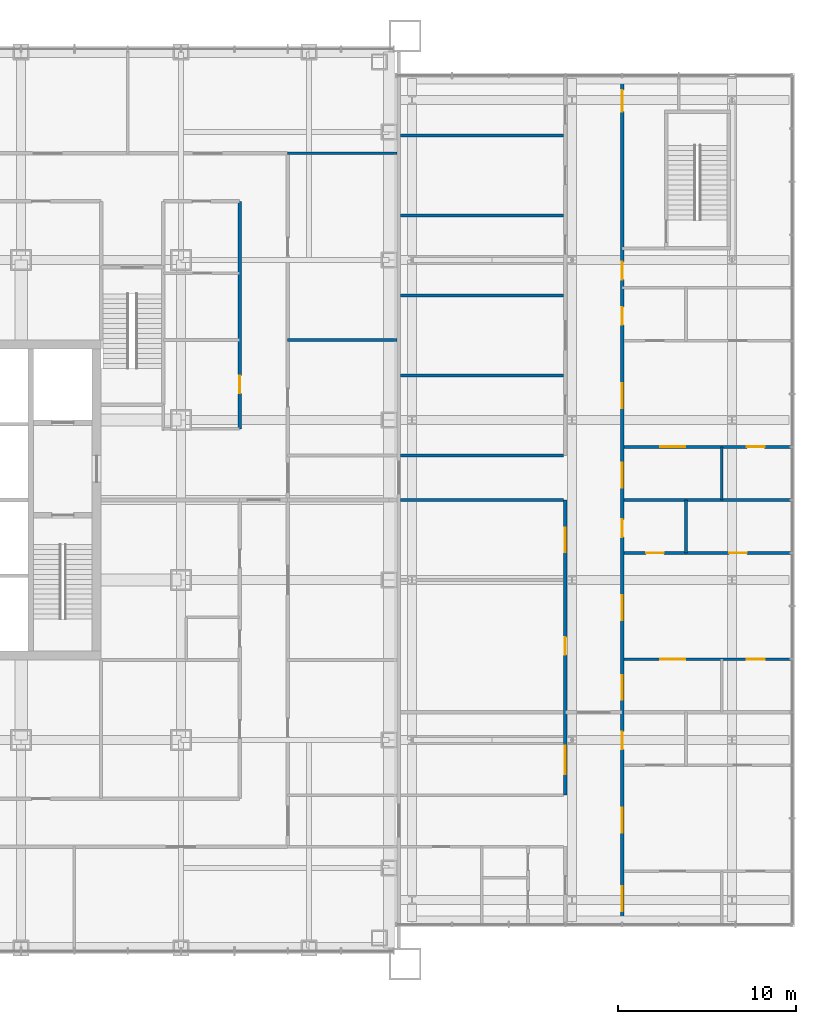
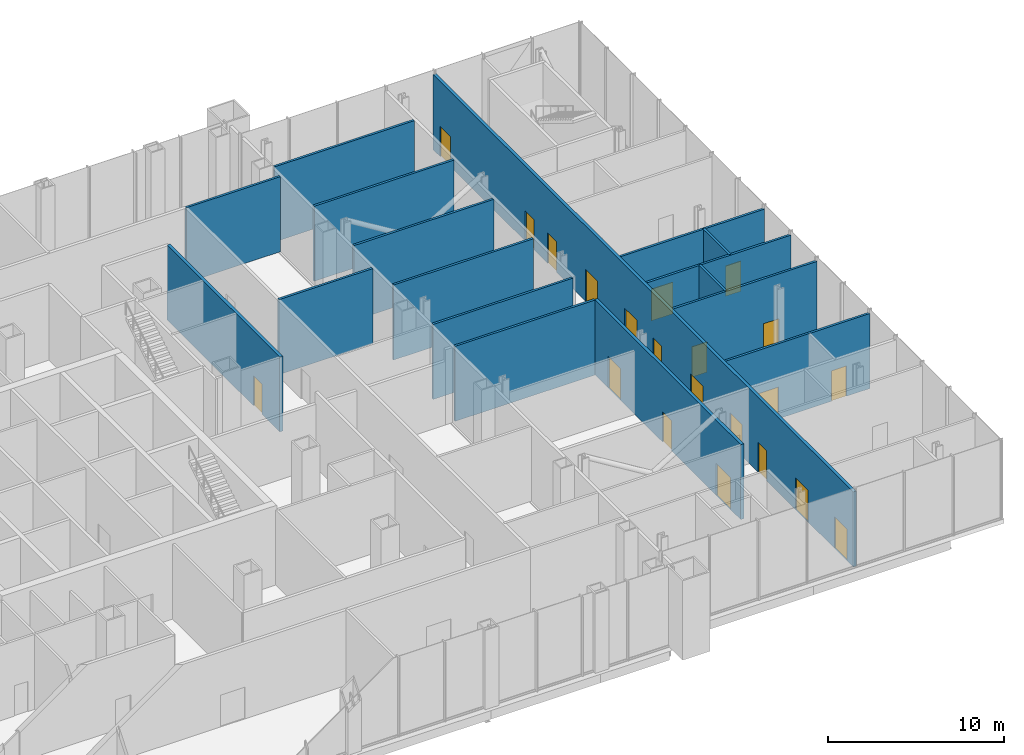
# One storey, part 18 of 25: 21 doors, 17 walls, 21 openings.
"""IFC4 building model written with IfcOpenShell, lengths in metres."""

from ifc_helpers import new_model, si_unit, direction, frame, frame_2d, origin, place, context, subcontext, project, spatial, rectangle, extrude, material, layer, layer_set, type_object, element, fill, save


model = new_model("IFC4")

# Units and contexts
model_context = context("Model", 3, precision=1e-05, world=origin(), true_north=direction((0.0, 1.0)))
body_context = subcontext(model_context, "Body", "Model", "MODEL_VIEW")
ifc_project = project(units=[si_unit("LENGTHUNIT", "METRE"), si_unit("AREAUNIT", "SQUARE_METRE"), si_unit("VOLUMEUNIT", "CUBIC_METRE"), si_unit("PLANEANGLEUNIT", "RADIAN"), si_unit("MASSUNIT", "GRAM", prefix="KILO")], contexts=[model_context])

# Site, building, storey
site_placement = place(None, origin())
site = spatial("IfcSite", under=ifc_project, at=site_placement, CompositionType="ELEMENT")
building_placement = place(site_placement, origin())
building = spatial("IfcBuilding", under=site, at=building_placement, Name="Malebo Sky Hospital", CompositionType="ELEMENT")
storey_placement = place(building_placement, frame((0.0, 0.0, 11.0)))
storey = spatial("IfcBuildingStorey", under=building, at=storey_placement, Name="L02", CompositionType="ELEMENT", Elevation=11.0)

# Wall, opening, door
ifc_material_1 = material(Name="Gypsum board on steel studs", Category="steel")
ifc_layer_1 = layer(ifc_material_1, 0.199951171875)
ifc_layer_set_1 = layer_set([ifc_layer_1], Name="CORRIDOR WALL 200")
wall_type_1 = type_object("IfcWallType", Name="CORRIDOR WALL 200", PredefinedType="PARTITIONING", material=ifc_layer_set_1)
wall_1_placement = place(storey_placement, frame((76.800048828125, 78.800048828125, 0.0), z_axis=(0.0, 0.0, 1.0), x_axis=(0.0, -1.0, 0.0)))
wall_1 = element("IfcWall", 1, at=wall_1_placement, inside=storey, type_object=wall_type_1, Name="Corridor Wall 200 ECI1", PredefinedType="PARTITIONING", context=body_context, shape_type="SweptSolid", body=[
    extrude(rectangle(XDim=12.800048828125, YDim=0.199951171875, at=frame_2d((6.39990234375, 0.0))), origin(), (0.0, 0.0, 1.0), 5.199951171875),
])
opening_1_placement = place(wall_1_placement, frame((9.800048828125, 0.0, 0.0)))
opening_1 = element("IfcOpeningElement", 2, at=opening_1_placement, cuts=wall_1, Name="Opening D03", PredefinedType="OPENING", context=body_context, shape_type="SweptSolid", body=[
    extrude(rectangle(XDim=1.0, YDim=2.10009765625, at=frame_2d((0.5, 1.050048828125))), frame((0.0, 0.10986328125, 0.0), z_axis=(0.0, -1.0, 0.0), x_axis=(1.0, 0.0, 0.0)), (0.0, 0.0, 1.0), 0.219970703125),
])
ifc_material_2 = material(Name="Hardwood-faced door leaf in steel frame", Category="steel")
door_type_1 = type_object("IfcDoorType", Name="ROOM DOOR 1000", OperationType="SINGLE_SWING_LEFT", PredefinedType="DOOR", material=ifc_material_2)
door_1_placement = place(opening_1_placement, origin())
door_1 = element("IfcDoor", 3, at=door_1_placement, inside=storey, type_object=door_type_1, Name="Equipment store door", OperationType="SINGLE_SWING_LEFT", OverallHeight=2.10009765625, OverallWidth=1.0, PredefinedType="DOOR", context=body_context, shape_type="SweptSolid", body=[
    extrude(rectangle(XDim=1.0, YDim=2.10009765625, at=frame_2d((0.5, 1.050048828125))), frame((0.0, 0.02490234375, 0.0), z_axis=(0.0, -1.0, 0.0), x_axis=(1.0, 0.0, 0.0)), (0.0, 0.0, 1.0), 0.050048828125),
])
fill(opening_1, door_1)

# Wall, openings, doors
wall_2_placement = place(storey_placement, frame((98.306884765625, 38.14990234375, 0.0), z_axis=(0.0, 0.0, 1.0), x_axis=(0.0, 1.0, 0.0)))
wall_2 = element("IfcWall", 4, at=wall_2_placement, inside=storey, type_object=wall_type_1, Name="Corridor Wall 200 EWC1", PredefinedType="PARTITIONING", context=body_context, shape_type="SweptSolid", body=[
    extrude(rectangle(XDim=47.7001953125, YDim=0.199951171875, at=frame_2d((23.85009765625, 0.0))), origin(), (0.0, 0.0, 1.0), 5.199951171875),
])
opening_2_placement = place(wall_2_placement, frame((45.699951171875, 0.0, 0.0)))
opening_2 = element("IfcOpeningElement", 5, at=opening_2_placement, cuts=wall_2, Name="Opening D08", PredefinedType="OPENING", context=body_context, shape_type="SweptSolid", body=[
    extrude(rectangle(XDim=1.199951171875, YDim=2.10009765625, at=frame_2d((0.60009765625, 1.050048828125))), frame((0.0, 0.10986328125, 0.0), z_axis=(0.0, -1.0, 0.0), x_axis=(1.0, 0.0, 0.0)), (0.0, 0.0, 1.0), 0.219970703125),
])
opening_3_placement = place(wall_2_placement, frame((36.24365234375, 0.0, 0.0)))
opening_3 = element("IfcOpeningElement", 6, at=opening_3_placement, cuts=wall_2, Name="Opening D03", PredefinedType="OPENING", context=body_context, shape_type="SweptSolid", body=[
    extrude(rectangle(XDim=1.0, YDim=2.10009765625, at=frame_2d((0.5, 1.050048828125))), frame((0.0, 0.10986328125, 0.0), z_axis=(0.0, -1.0, 0.0), x_axis=(1.0, 0.0, 0.0)), (0.0, 0.0, 1.0), 0.219970703125),
])
opening_4_placement = place(wall_2_placement, frame((0.729736328125, 0.0, 0.0)))
opening_4 = element("IfcOpeningElement", 7, at=opening_4_placement, cuts=wall_2, Name="Opening D25", PredefinedType="OPENING", context=body_context, shape_type="SweptSolid", body=[
    extrude(rectangle(XDim=1.39990234375, YDim=2.199951171875, at=frame_2d((0.699951171875, 1.10009765625))), frame((0.0, 0.10986328125, 0.0), z_axis=(0.0, -1.0, 0.0), x_axis=(1.0, 0.0, 0.0)), (0.0, 0.0, 1.0), 0.219970703125),
])
opening_5_placement = place(wall_2_placement, frame((5.143798828125, 0.0, 0.0)))
opening_5 = element("IfcOpeningElement", 8, at=opening_5_placement, cuts=wall_2, Name="Opening D25", PredefinedType="OPENING", context=body_context, shape_type="SweptSolid", body=[
    extrude(rectangle(XDim=1.39990234375, YDim=2.199951171875, at=frame_2d((0.699951171875, 1.10009765625))), frame((0.0, 0.10986328125, 0.0), z_axis=(0.0, -1.0, 0.0), x_axis=(1.0, 0.0, 0.0)), (0.0, 0.0, 1.0), 0.219970703125),
])
opening_6_placement = place(wall_2_placement, frame((9.8203125, 0.0, 0.0)))
opening_6 = element("IfcOpeningElement", 9, at=opening_6_placement, cuts=wall_2, Name="Opening D03", PredefinedType="OPENING", context=body_context, shape_type="SweptSolid", body=[
    extrude(rectangle(XDim=1.0, YDim=2.10009765625, at=frame_2d((0.5, 1.050048828125))), frame((0.0, 0.10986328125, 0.0), z_axis=(0.0, -1.0, 0.0), x_axis=(1.0, 0.0, 0.0)), (0.0, 0.0, 1.0), 0.219970703125),
])
opening_7_placement = place(wall_2_placement, frame((12.604736328125, 0.0, 0.0)))
opening_7 = element("IfcOpeningElement", 10, at=opening_7_placement, cuts=wall_2, Name="Opening D25", PredefinedType="OPENING", context=body_context, shape_type="SweptSolid", body=[
    extrude(rectangle(XDim=1.39990234375, YDim=2.199951171875, at=frame_2d((0.699951171875, 1.10009765625))), frame((0.0, 0.10986328125, 0.0), z_axis=(0.0, -1.0, 0.0), x_axis=(1.0, 0.0, 0.0)), (0.0, 0.0, 1.0), 0.219970703125),
])
opening_8_placement = place(wall_2_placement, frame((17.081298828125, 0.0, 0.0)))
opening_8 = element("IfcOpeningElement", 11, at=opening_8_placement, cuts=wall_2, Name="Opening D25", PredefinedType="OPENING", context=body_context, shape_type="SweptSolid", body=[
    extrude(rectangle(XDim=1.39990234375, YDim=2.199951171875, at=frame_2d((0.699951171875, 1.10009765625))), frame((0.0, 0.10986328125, 0.0), z_axis=(0.0, -1.0, 0.0), x_axis=(1.0, 0.0, 0.0)), (0.0, 0.0, 1.0), 0.219970703125),
])
opening_9_placement = place(wall_2_placement, frame((21.7578125, 0.0, 0.0)))
opening_9 = element("IfcOpeningElement", 12, at=opening_9_placement, cuts=wall_2, Name="Opening D03", PredefinedType="OPENING", context=body_context, shape_type="SweptSolid", body=[
    extrude(rectangle(XDim=1.0, YDim=2.10009765625, at=frame_2d((0.5, 1.050048828125))), frame((0.0, 0.10986328125, 0.0), z_axis=(0.0, -1.0, 0.0), x_axis=(1.0, 0.0, 0.0)), (0.0, 0.0, 1.0), 0.219970703125),
])
opening_10_placement = place(wall_2_placement, frame((24.542236328125, 0.0, 0.0)))
opening_10 = element("IfcOpeningElement", 13, at=opening_10_placement, cuts=wall_2, Name="Opening D25", PredefinedType="OPENING", context=body_context, shape_type="SweptSolid", body=[
    extrude(rectangle(XDim=1.39990234375, YDim=2.199951171875, at=frame_2d((0.699951171875, 1.10009765625))), frame((0.0, 0.10986328125, 0.0), z_axis=(0.0, -1.0, 0.0), x_axis=(1.0, 0.0, 0.0)), (0.0, 0.0, 1.0), 0.219970703125),
])
opening_11_placement = place(wall_2_placement, frame((29.018798828125, 0.0, 0.0)))
opening_11 = element("IfcOpeningElement", 14, at=opening_11_placement, cuts=wall_2, Name="Opening D25", PredefinedType="OPENING", context=body_context, shape_type="SweptSolid", body=[
    extrude(rectangle(XDim=1.39990234375, YDim=2.199951171875, at=frame_2d((0.699951171875, 1.10009765625))), frame((0.0, 0.10986328125, 0.0), z_axis=(0.0, -1.0, 0.0), x_axis=(1.0, 0.0, 0.0)), (0.0, 0.0, 1.0), 0.219970703125),
])
opening_12_placement = place(wall_2_placement, frame((33.6953125, 0.0, 0.0)))
opening_12 = element("IfcOpeningElement", 15, at=opening_12_placement, cuts=wall_2, Name="Opening D03", PredefinedType="OPENING", context=body_context, shape_type="SweptSolid", body=[
    extrude(rectangle(XDim=1.0, YDim=2.10009765625, at=frame_2d((0.5, 1.050048828125))), frame((0.0, 0.10986328125, 0.0), z_axis=(0.0, -1.0, 0.0), x_axis=(1.0, 0.0, 0.0)), (0.0, 0.0, 1.0), 0.219970703125),
])
door_type_2 = type_object("IfcDoorType", Name="BED DOOR PAIR 1400", OperationType="DOUBLE_DOOR_SINGLE_SWING", PredefinedType="DOOR", material=ifc_material_2)
door_2_placement = place(opening_4_placement, origin())
door_2 = element("IfcDoor", 16, at=door_2_placement, inside=storey, type_object=door_type_2, Name="Anaesthetic room door", OperationType="DOUBLE_DOOR_SINGLE_SWING", OverallHeight=2.199951171875, OverallWidth=1.39990234375, PredefinedType="DOOR", context=body_context, shape_type="SweptSolid", body=[
    extrude(rectangle(XDim=1.39990234375, YDim=2.199951171875, at=frame_2d((0.699951171875, 1.10009765625))), frame((0.0, 0.02490234375, 0.0), z_axis=(0.0, -1.0, 0.0), x_axis=(1.0, 0.0, 0.0)), (0.0, 0.0, 1.0), 0.050048828125),
])
fill(opening_4, door_2)
door_3_placement = place(opening_5_placement, origin())
door_3 = element("IfcDoor", 17, at=door_3_placement, inside=storey, type_object=door_type_2, Name="Operating theatre door", OperationType="DOUBLE_DOOR_SINGLE_SWING", OverallHeight=2.199951171875, OverallWidth=1.39990234375, PredefinedType="DOOR", context=body_context, shape_type="SweptSolid", body=[
    extrude(rectangle(XDim=1.39990234375, YDim=2.199951171875, at=frame_2d((0.699951171875, 1.10009765625))), frame((0.0, 0.02490234375, 0.0), z_axis=(0.0, -1.0, 0.0), x_axis=(1.0, 0.0, 0.0)), (0.0, 0.0, 1.0), 0.050048828125),
])
fill(opening_5, door_3)
door_4_placement = place(opening_7_placement, origin())
door_4 = element("IfcDoor", 18, at=door_4_placement, inside=storey, type_object=door_type_2, Name="Anaesthetic room door", OperationType="DOUBLE_DOOR_SINGLE_SWING", OverallHeight=2.199951171875, OverallWidth=1.39990234375, PredefinedType="DOOR", context=body_context, shape_type="SweptSolid", body=[
    extrude(rectangle(XDim=1.39990234375, YDim=2.199951171875, at=frame_2d((0.699951171875, 1.10009765625))), frame((0.0, 0.02490234375, 0.0), z_axis=(0.0, -1.0, 0.0), x_axis=(1.0, 0.0, 0.0)), (0.0, 0.0, 1.0), 0.050048828125),
])
fill(opening_7, door_4)
door_5_placement = place(opening_8_placement, origin())
door_5 = element("IfcDoor", 19, at=door_5_placement, inside=storey, type_object=door_type_2, Name="Operating theatre door", OperationType="DOUBLE_DOOR_SINGLE_SWING", OverallHeight=2.199951171875, OverallWidth=1.39990234375, PredefinedType="DOOR", context=body_context, shape_type="SweptSolid", body=[
    extrude(rectangle(XDim=1.39990234375, YDim=2.199951171875, at=frame_2d((0.699951171875, 1.10009765625))), frame((0.0, 0.02490234375, 0.0), z_axis=(0.0, -1.0, 0.0), x_axis=(1.0, 0.0, 0.0)), (0.0, 0.0, 1.0), 0.050048828125),
])
fill(opening_8, door_5)
door_6_placement = place(opening_10_placement, origin())
door_6 = element("IfcDoor", 20, at=door_6_placement, inside=storey, type_object=door_type_2, Name="Anaesthetic room door", OperationType="DOUBLE_DOOR_SINGLE_SWING", OverallHeight=2.199951171875, OverallWidth=1.39990234375, PredefinedType="DOOR", context=body_context, shape_type="SweptSolid", body=[
    extrude(rectangle(XDim=1.39990234375, YDim=2.199951171875, at=frame_2d((0.699951171875, 1.10009765625))), frame((0.0, 0.02490234375, 0.0), z_axis=(0.0, -1.0, 0.0), x_axis=(1.0, 0.0, 0.0)), (0.0, 0.0, 1.0), 0.050048828125),
])
fill(opening_10, door_6)
door_7_placement = place(opening_11_placement, origin())
door_7 = element("IfcDoor", 21, at=door_7_placement, inside=storey, type_object=door_type_2, Name="Operating theatre door", OperationType="DOUBLE_DOOR_SINGLE_SWING", OverallHeight=2.199951171875, OverallWidth=1.39990234375, PredefinedType="DOOR", context=body_context, shape_type="SweptSolid", body=[
    extrude(rectangle(XDim=1.39990234375, YDim=2.199951171875, at=frame_2d((0.699951171875, 1.10009765625))), frame((0.0, 0.02490234375, 0.0), z_axis=(0.0, -1.0, 0.0), x_axis=(1.0, 0.0, 0.0)), (0.0, 0.0, 1.0), 0.050048828125),
])
fill(opening_11, door_7)
door_8_placement = place(opening_3_placement, origin())
door_8 = element("IfcDoor", 22, at=door_8_placement, inside=storey, type_object=door_type_1, Name="Theatre consumables store door", OperationType="SINGLE_SWING_LEFT", OverallHeight=2.10009765625, OverallWidth=1.0, PredefinedType="DOOR", context=body_context, shape_type="SweptSolid", body=[
    extrude(rectangle(XDim=1.0, YDim=2.10009765625, at=frame_2d((0.5, 1.050048828125))), frame((0.0, 0.02490234375, 0.0), z_axis=(0.0, -1.0, 0.0), x_axis=(1.0, 0.0, 0.0)), (0.0, 0.0, 1.0), 0.050048828125),
])
fill(opening_3, door_8)
door_9_placement = place(opening_6_placement, origin())
door_9 = element("IfcDoor", 23, at=door_9_placement, inside=storey, type_object=door_type_1, Name="Scrub room door", OperationType="SINGLE_SWING_LEFT", OverallHeight=2.10009765625, OverallWidth=1.0, PredefinedType="DOOR", context=body_context, shape_type="SweptSolid", body=[
    extrude(rectangle(XDim=1.0, YDim=2.10009765625, at=frame_2d((0.5, 1.050048828125))), frame((0.0, 0.02490234375, 0.0), z_axis=(0.0, -1.0, 0.0), x_axis=(1.0, 0.0, 0.0)), (0.0, 0.0, 1.0), 0.050048828125),
])
fill(opening_6, door_9)
door_10_placement = place(opening_9_placement, origin())
door_10 = element("IfcDoor", 24, at=door_10_placement, inside=storey, type_object=door_type_1, Name="Scrub room door", OperationType="SINGLE_SWING_LEFT", OverallHeight=2.10009765625, OverallWidth=1.0, PredefinedType="DOOR", context=body_context, shape_type="SweptSolid", body=[
    extrude(rectangle(XDim=1.0, YDim=2.10009765625, at=frame_2d((0.5, 1.050048828125))), frame((0.0, 0.02490234375, 0.0), z_axis=(0.0, -1.0, 0.0), x_axis=(1.0, 0.0, 0.0)), (0.0, 0.0, 1.0), 0.050048828125),
])
fill(opening_9, door_10)
door_11_placement = place(opening_12_placement, origin())
door_11 = element("IfcDoor", 25, at=door_11_placement, inside=storey, type_object=door_type_1, Name="Scrub room door", OperationType="SINGLE_SWING_LEFT", OverallHeight=2.10009765625, OverallWidth=1.0, PredefinedType="DOOR", context=body_context, shape_type="SweptSolid", body=[
    extrude(rectangle(XDim=1.0, YDim=2.10009765625, at=frame_2d((0.5, 1.050048828125))), frame((0.0, 0.02490234375, 0.0), z_axis=(0.0, -1.0, 0.0), x_axis=(1.0, 0.0, 0.0)), (0.0, 0.0, 1.0), 0.050048828125),
])
fill(opening_12, door_11)
door_type_3 = type_object("IfcDoorType", Name="STAIR DOOR 1200", OperationType="SINGLE_SWING_LEFT", PredefinedType="DOOR", material=ifc_material_2)
door_12_placement = place(opening_2_placement, origin())
door_12 = element("IfcDoor", 26, at=door_12_placement, inside=storey, type_object=door_type_3, Name="Stair lobby door", OperationType="SINGLE_SWING_RIGHT", OverallHeight=2.10009765625, OverallWidth=1.199951171875, PredefinedType="DOOR", context=body_context, shape_type="SweptSolid", body=[
    extrude(rectangle(XDim=1.199951171875, YDim=2.10009765625, at=frame_2d((0.60009765625, 1.050048828125))), frame((0.0, 0.02490234375, 0.0), z_axis=(0.0, -1.0, 0.0), x_axis=(1.0, 0.0, 0.0)), (0.0, 0.0, 1.0), 0.050048828125),
])
fill(opening_2, door_12)

wall_3_placement = place(storey_placement, frame((95.117919921875, 45.39990234375, 0.0), z_axis=(0.0, 0.0, 1.0), x_axis=(0.0, 1.0, 0.0)))
wall_3 = element("IfcWall", 27, at=wall_3_placement, inside=storey, type_object=wall_type_1, Name="Corridor Wall 200 EWC2B", PredefinedType="PARTITIONING", context=body_context, shape_type="SweptSolid", body=[
    extrude(rectangle(XDim=16.60009765625, YDim=0.199951171875, at=frame_2d((8.300048828125, 0.0))), origin(), (0.0, 0.0, 1.0), 5.199951171875),
])
opening_13_placement = place(wall_3_placement, frame((1.181396484375, 0.0, 0.0)))
opening_13 = element("IfcOpeningElement", 28, at=opening_13_placement, cuts=wall_3, Name="Opening D14", PredefinedType="OPENING", context=body_context, shape_type="SweptSolid", body=[
    extrude(rectangle(XDim=1.60009765625, YDim=2.199951171875, at=frame_2d((0.800048828125, 1.10009765625))), frame((0.0, 0.10986328125, 0.0), z_axis=(0.0, -1.0, 0.0), x_axis=(1.0, 0.0, 0.0)), (0.0, 0.0, 1.0), 0.219970703125),
])
opening_14_placement = place(wall_3_placement, frame((7.88134765625, 0.0, 0.0)))
opening_14 = element("IfcOpeningElement", 29, at=opening_14_placement, cuts=wall_3, Name="Opening D03", PredefinedType="OPENING", context=body_context, shape_type="SweptSolid", body=[
    extrude(rectangle(XDim=1.0, YDim=2.10009765625, at=frame_2d((0.5, 1.050048828125))), frame((0.0, 0.10986328125, 0.0), z_axis=(0.0, -1.0, 0.0), x_axis=(1.0, 0.0, 0.0)), (0.0, 0.0, 1.0), 0.219970703125),
])
opening_15_placement = place(wall_3_placement, frame((13.64990234375, 0.0, 0.0)))
opening_15 = element("IfcOpeningElement", 30, at=opening_15_placement, cuts=wall_3, Name="Opening D25", PredefinedType="OPENING", context=body_context, shape_type="SweptSolid", body=[
    extrude(rectangle(XDim=1.39990234375, YDim=2.199951171875, at=frame_2d((0.699951171875, 1.10009765625))), frame((0.0, 0.10986328125, 0.0), z_axis=(0.0, -1.0, 0.0), x_axis=(1.0, 0.0, 0.0)), (0.0, 0.0, 1.0), 0.219970703125),
])
door_13_placement = place(opening_15_placement, origin())
door_13 = element("IfcDoor", 31, at=door_13_placement, inside=storey, type_object=door_type_2, Name="Theatre recovery bay door", OperationType="DOUBLE_DOOR_SINGLE_SWING", OverallHeight=2.199951171875, OverallWidth=1.39990234375, PredefinedType="DOOR", context=body_context, shape_type="SweptSolid", body=[
    extrude(rectangle(XDim=1.39990234375, YDim=2.199951171875, at=frame_2d((0.699951171875, 1.10009765625))), frame((0.0, 0.02490234375, 0.0), z_axis=(0.0, -1.0, 0.0), x_axis=(1.0, 0.0, 0.0)), (0.0, 0.0, 1.0), 0.050048828125),
])
fill(opening_15, door_13)
door_type_4 = type_object("IfcDoorType", Name="DEPARTMENT DOOR PAIR 1600", OperationType="DOUBLE_DOOR_DOUBLE_SWING", PredefinedType="DOOR", material=ifc_material_2)
door_14_placement = place(opening_13_placement, origin())
door_14 = element("IfcDoor", 32, at=door_14_placement, inside=storey, type_object=door_type_4, Name="Sterile supply store door", OperationType="DOUBLE_DOOR_DOUBLE_SWING", OverallHeight=2.199951171875, OverallWidth=1.60009765625, PredefinedType="DOOR", context=body_context, shape_type="SweptSolid", body=[
    extrude(rectangle(XDim=1.60009765625, YDim=2.199951171875, at=frame_2d((0.800048828125, 1.10009765625))), frame((0.0, 0.02490234375, 0.0), z_axis=(0.0, -1.0, 0.0), x_axis=(1.0, 0.0, 0.0)), (0.0, 0.0, 1.0), 0.050048828125),
])
fill(opening_13, door_14)
door_15_placement = place(opening_14_placement, origin())
door_15 = element("IfcDoor", 33, at=door_15_placement, inside=storey, type_object=door_type_1, Name="Theatre coordinator office door", OperationType="SINGLE_SWING_LEFT", OverallHeight=2.10009765625, OverallWidth=1.0, PredefinedType="DOOR", context=body_context, shape_type="SweptSolid", body=[
    extrude(rectangle(XDim=1.0, YDim=2.10009765625, at=frame_2d((0.5, 1.050048828125))), frame((0.0, 0.02490234375, 0.0), z_axis=(0.0, -1.0, 0.0), x_axis=(1.0, 0.0, 0.0)), (0.0, 0.0, 1.0), 0.050048828125),
])
fill(opening_14, door_15)

# Walls
ifc_layer_2 = layer(ifc_material_1, 0.14990234375)
ifc_layer_set_2 = layer_set([ifc_layer_2], Name="PARTITION 150")
wall_type_2 = type_object("IfcWallType", Name="PARTITION 150", PredefinedType="PARTITIONING", material=ifc_layer_set_2)
for number, where, z_axis, x_axis, name in (
    (34, (79.5, 81.5, 0.0), (0.0, 0.0, 1.0), (1.0, 0.0, 0.0), "Partition 150 EP-19.5"),
    (35, (79.5, 71.0, 0.0), (0.0, 0.0, 1.0), (1.0, 0.0, 0.0), "Partition 150 EP-9.0"),
):
    element("IfcWall", number, at=place(storey_placement, frame(where, z_axis=z_axis, x_axis=x_axis)), inside=storey, type_object=wall_type_2, Name=name, PredefinedType="PARTITIONING", context=body_context, shape_type="SweptSolid", body=[
        extrude(rectangle(XDim=6.14990234375, YDim=0.14990234375, at=frame_2d((3.074951171875, 0.0))), origin(), (0.0, 0.0, 1.0), 5.199951171875),
    ])

# Wall, openings, doors
wall_4_placement = place(storey_placement, frame((107.85009765625, 53.046875, 0.0), z_axis=(0.0, 0.0, 1.0), x_axis=(-1.0, 0.0, 0.0)))
wall_4 = element("IfcWall", 36, at=wall_4_placement, inside=storey, type_object=wall_type_2, Name="Partition 150 EOH03", PredefinedType="PARTITIONING", context=body_context, shape_type="SweptSolid", body=[
    extrude(rectangle(XDim=9.443115234375, YDim=0.14990234375, at=frame_2d((4.7216796875, 0.0))), origin(), (0.0, 0.0, 1.0), 5.199951171875),
])
opening_16_placement = place(wall_4_placement, frame((5.992919921875, 0.0, 0.0)))
opening_16 = element("IfcOpeningElement", 37, at=opening_16_placement, cuts=wall_4, Name="Opening D25", PredefinedType="OPENING", context=body_context, shape_type="SweptSolid", body=[
    extrude(rectangle(XDim=1.39990234375, YDim=2.199951171875, at=frame_2d((0.699951171875, 1.10009765625))), frame((0.0, 0.0849609375, 0.0), z_axis=(0.0, -1.0, 0.0), x_axis=(1.0, 0.0, 0.0)), (0.0, 0.0, 1.0), 0.169921875),
])
opening_17_placement = place(wall_4_placement, frame((1.521484375, 0.0, 0.0)))
opening_17 = element("IfcOpeningElement", 38, at=opening_17_placement, cuts=wall_4, Name="Opening D03", PredefinedType="OPENING", context=body_context, shape_type="SweptSolid", body=[
    extrude(rectangle(XDim=1.0, YDim=2.10009765625, at=frame_2d((0.5, 1.050048828125))), frame((0.0, 0.0849609375, 0.0), z_axis=(0.0, -1.0, 0.0), x_axis=(1.0, 0.0, 0.0)), (0.0, 0.0, 1.0), 0.169921875),
])
door_16_placement = place(opening_16_placement, origin())
door_16 = element("IfcDoor", 39, at=door_16_placement, inside=storey, type_object=door_type_2, Name="Anaesthetic room inner door", OperationType="DOUBLE_DOOR_SINGLE_SWING", OverallHeight=2.199951171875, OverallWidth=1.39990234375, PredefinedType="DOOR", context=body_context, shape_type="SweptSolid", body=[
    extrude(rectangle(XDim=1.39990234375, YDim=2.199951171875, at=frame_2d((0.699951171875, 1.10009765625))), frame((0.0, 0.02490234375, 0.0), z_axis=(0.0, -1.0, 0.0), x_axis=(1.0, 0.0, 0.0)), (0.0, 0.0, 1.0), 0.050048828125),
])
fill(opening_16, door_16)
door_17_placement = place(opening_17_placement, origin())
door_17 = element("IfcDoor", 40, at=door_17_placement, inside=storey, type_object=door_type_1, Name="Dirty utility room inner door", OperationType="SINGLE_SWING_RIGHT", OverallHeight=2.10009765625, OverallWidth=1.0, PredefinedType="DOOR", context=body_context, shape_type="SweptSolid", body=[
    extrude(rectangle(XDim=1.0, YDim=2.10009765625, at=frame_2d((0.5, 1.050048828125))), frame((0.0, 0.02490234375, 0.0), z_axis=(0.0, -1.0, 0.0), x_axis=(1.0, 0.0, 0.0)), (0.0, 0.0, 1.0), 0.050048828125),
])
fill(opening_17, door_17)

wall_5_placement = place(storey_placement, frame((107.85009765625, 59.015625, 0.0), z_axis=(0.0, 0.0, 1.0), x_axis=(-1.0, 0.0, 0.0)))
wall_5 = element("IfcWall", 41, at=wall_5_placement, inside=storey, type_object=wall_type_2, Name="Partition 150 EOH04", PredefinedType="PARTITIONING", context=body_context, shape_type="SweptSolid", body=[
    extrude(rectangle(XDim=9.443115234375, YDim=0.14990234375, at=frame_2d((4.7216796875, 0.0))), origin(), (0.0, 0.0, 1.0), 5.199951171875),
])
opening_18_placement = place(wall_5_placement, frame((7.193115234375, 0.0, 0.0)))
opening_18 = element("IfcOpeningElement", 42, at=opening_18_placement, cuts=wall_5, Name="Opening D03", PredefinedType="OPENING", context=body_context, shape_type="SweptSolid", body=[
    extrude(rectangle(XDim=1.0, YDim=2.10009765625, at=frame_2d((0.5, 1.050048828125))), frame((0.0, 0.0849609375, 0.0), z_axis=(0.0, -1.0, 0.0), x_axis=(1.0, 0.0, 0.0)), (0.0, 0.0, 1.0), 0.169921875),
])
opening_19_placement = place(wall_5_placement, frame((2.521484375, 0.0, 0.0)))
opening_19 = element("IfcOpeningElement", 43, at=opening_19_placement, cuts=wall_5, Name="Opening D03", PredefinedType="OPENING", context=body_context, shape_type="SweptSolid", body=[
    extrude(rectangle(XDim=1.0, YDim=2.10009765625, at=frame_2d((0.5, 1.050048828125))), frame((0.0, 0.0849609375, 0.0), z_axis=(0.0, -1.0, 0.0), x_axis=(1.0, 0.0, 0.0)), (0.0, 0.0, 1.0), 0.169921875),
])
door_18_placement = place(opening_18_placement, origin())
door_18 = element("IfcDoor", 44, at=door_18_placement, inside=storey, type_object=door_type_1, Name="Scrub room inner door", OperationType="SINGLE_SWING_LEFT", OverallHeight=2.10009765625, OverallWidth=1.0, PredefinedType="DOOR", context=body_context, shape_type="SweptSolid", body=[
    extrude(rectangle(XDim=1.0, YDim=2.10009765625, at=frame_2d((0.5, 1.050048828125))), frame((0.0, 0.02490234375, 0.0), z_axis=(0.0, -1.0, 0.0), x_axis=(1.0, 0.0, 0.0)), (0.0, 0.0, 1.0), 0.050048828125),
])
fill(opening_18, door_18)
door_19_placement = place(opening_19_placement, origin())
door_19 = element("IfcDoor", 45, at=door_19_placement, inside=storey, type_object=door_type_1, Name="Preparation room inner door", OperationType="SINGLE_SWING_RIGHT", OverallHeight=2.10009765625, OverallWidth=1.0, PredefinedType="DOOR", context=body_context, shape_type="SweptSolid", body=[
    extrude(rectangle(XDim=1.0, YDim=2.10009765625, at=frame_2d((0.5, 1.050048828125))), frame((0.0, 0.02490234375, 0.0), z_axis=(0.0, -1.0, 0.0), x_axis=(1.0, 0.0, 0.0)), (0.0, 0.0, 1.0), 0.050048828125),
])
fill(opening_19, door_19)

# Wall
wall_6_placement = place(storey_placement, frame((107.85009765625, 62.0, 0.0), z_axis=(0.0, 0.0, 1.0), x_axis=(-1.0, 0.0, 0.0)))
element("IfcWall", 46, at=wall_6_placement, inside=storey, type_object=wall_type_2, Name="Partition 150 EOH05", PredefinedType="PARTITIONING", context=body_context, shape_type="SweptSolid", body=[
    extrude(rectangle(XDim=9.443115234375, YDim=0.14990234375, at=frame_2d((4.7216796875, 0.0))), origin(), (0.0, 0.0, 1.0), 5.199951171875),
])

# Wall, openings, doors
wall_7_placement = place(storey_placement, frame((107.85009765625, 64.984375, 0.0), z_axis=(0.0, 0.0, 1.0), x_axis=(-1.0, 0.0, 0.0)))
wall_7 = element("IfcWall", 47, at=wall_7_placement, inside=storey, type_object=wall_type_2, Name="Partition 150 EOH06", PredefinedType="PARTITIONING", context=body_context, shape_type="SweptSolid", body=[
    extrude(rectangle(XDim=9.443115234375, YDim=0.14990234375, at=frame_2d((4.7216796875, 0.0))), origin(), (0.0, 0.0, 1.0), 5.199951171875),
])
opening_20_placement = place(wall_7_placement, frame((5.992919921875, 0.0, 0.0)))
opening_20 = element("IfcOpeningElement", 48, at=opening_20_placement, cuts=wall_7, Name="Opening D25", PredefinedType="OPENING", context=body_context, shape_type="SweptSolid", body=[
    extrude(rectangle(XDim=1.39990234375, YDim=2.199951171875, at=frame_2d((0.699951171875, 1.10009765625))), frame((0.0, 0.0849609375, 0.0), z_axis=(0.0, -1.0, 0.0), x_axis=(1.0, 0.0, 0.0)), (0.0, 0.0, 1.0), 0.169921875),
])
opening_21_placement = place(wall_7_placement, frame((1.521484375, 0.0, 0.0)))
opening_21 = element("IfcOpeningElement", 49, at=opening_21_placement, cuts=wall_7, Name="Opening D03", PredefinedType="OPENING", context=body_context, shape_type="SweptSolid", body=[
    extrude(rectangle(XDim=1.0, YDim=2.10009765625, at=frame_2d((0.5, 1.050048828125))), frame((0.0, 0.0849609375, 0.0), z_axis=(0.0, -1.0, 0.0), x_axis=(1.0, 0.0, 0.0)), (0.0, 0.0, 1.0), 0.169921875),
])
door_20_placement = place(opening_20_placement, origin())
door_20 = element("IfcDoor", 50, at=door_20_placement, inside=storey, type_object=door_type_2, Name="Anaesthetic room inner door", OperationType="DOUBLE_DOOR_SINGLE_SWING", OverallHeight=2.199951171875, OverallWidth=1.39990234375, PredefinedType="DOOR", context=body_context, shape_type="SweptSolid", body=[
    extrude(rectangle(XDim=1.39990234375, YDim=2.199951171875, at=frame_2d((0.699951171875, 1.10009765625))), frame((0.0, 0.02490234375, 0.0), z_axis=(0.0, -1.0, 0.0), x_axis=(1.0, 0.0, 0.0)), (0.0, 0.0, 1.0), 0.050048828125),
])
fill(opening_20, door_20)
door_21_placement = place(opening_21_placement, origin())
door_21 = element("IfcDoor", 51, at=door_21_placement, inside=storey, type_object=door_type_1, Name="Dirty utility room inner door", OperationType="SINGLE_SWING_RIGHT", OverallHeight=2.10009765625, OverallWidth=1.0, PredefinedType="DOOR", context=body_context, shape_type="SweptSolid", body=[
    extrude(rectangle(XDim=1.0, YDim=2.10009765625, at=frame_2d((0.5, 1.050048828125))), frame((0.0, 0.02490234375, 0.0), z_axis=(0.0, -1.0, 0.0), x_axis=(1.0, 0.0, 0.0)), (0.0, 0.0, 1.0), 0.050048828125),
])
fill(opening_21, door_21)

# Walls
for number, where, z_axis, x_axis, name in (
    (52, (103.906982421875, 62.0, 0.0), (0.0, 0.0, 1.0), (0.0, 1.0, 0.0), "Partition 150 EOV10"),
    (53, (101.906982421875, 59.015625, 0.0), (0.0, 0.0, 1.0), (0.0, 1.0, 0.0), "Partition 150 EOV12"),
):
    element("IfcWall", number, at=place(storey_placement, frame(where, z_axis=z_axis, x_axis=x_axis)), inside=storey, type_object=wall_type_2, Name=name, PredefinedType="PARTITIONING", context=body_context, shape_type="SweptSolid", body=[
        extrude(rectangle(XDim=2.984375, YDim=0.14990234375, at=frame_2d((1.4921875, 0.0))), origin(), (0.0, 0.0, 1.0), 5.199951171875),
    ])
for number, where, z_axis, x_axis, name in (
    (54, (95.01806640625, 62.0, 0.0), (0.0, 0.0, 1.0), (-1.0, 0.0, 0.0), "Partition 150 EIH05"),
    (55, (95.01806640625, 64.5, 0.0), (0.0, 0.0, 1.0), (-1.0, 0.0, 0.0), "Partition 150 EIH06"),
    (56, (95.01806640625, 69.0, 0.0), (0.0, 0.0, 1.0), (-1.0, 0.0, 0.0), "Partition 150 EIH07"),
    (57, (95.01806640625, 73.5, 0.0), (0.0, 0.0, 1.0), (-1.0, 0.0, 0.0), "Partition 150 EIH08"),
    (58, (95.01806640625, 78.0, 0.0), (0.0, 0.0, 1.0), (-1.0, 0.0, 0.0), "Partition 150 EIH09"),
    (59, (95.01806640625, 82.5, 0.0), (0.0, 0.0, 1.0), (-1.0, 0.0, 0.0), "Partition 150 EIH10"),
):
    element("IfcWall", number, at=place(storey_placement, frame(where, z_axis=z_axis, x_axis=x_axis)), inside=storey, type_object=wall_type_2, Name=name, PredefinedType="PARTITIONING", context=body_context, shape_type="SweptSolid", body=[
        extrude(rectangle(XDim=9.16796875, YDim=0.14990234375, at=frame_2d((4.583984375, 0.0))), origin(), (0.0, 0.0, 1.0), 5.199951171875),
    ])

save(model, "model.ifc")
